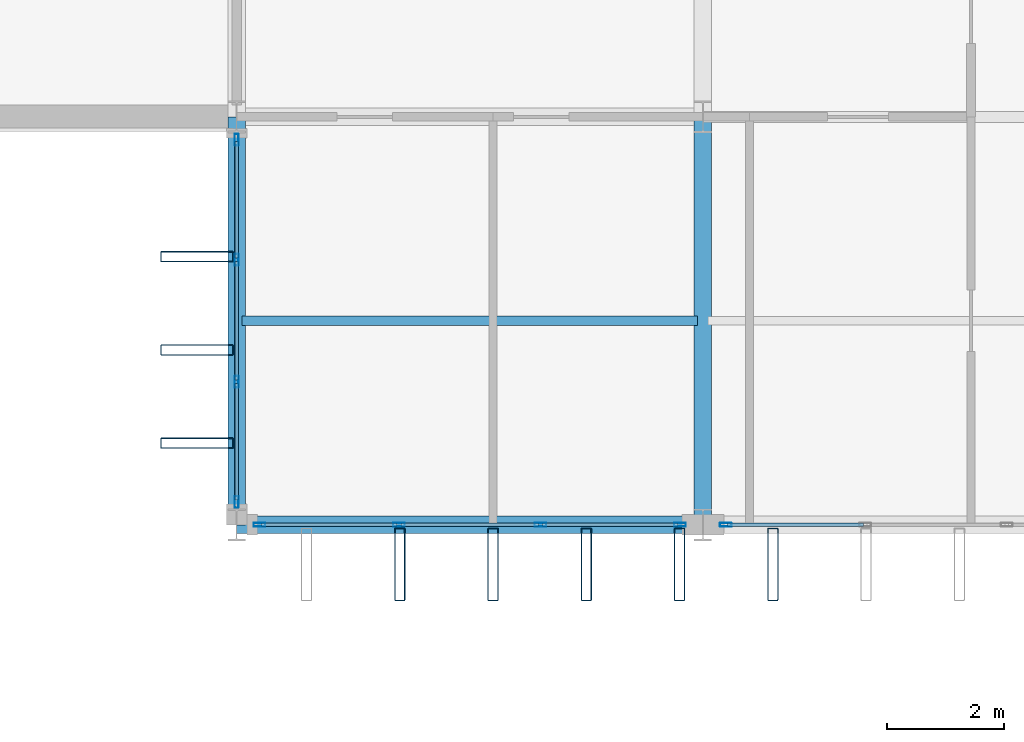
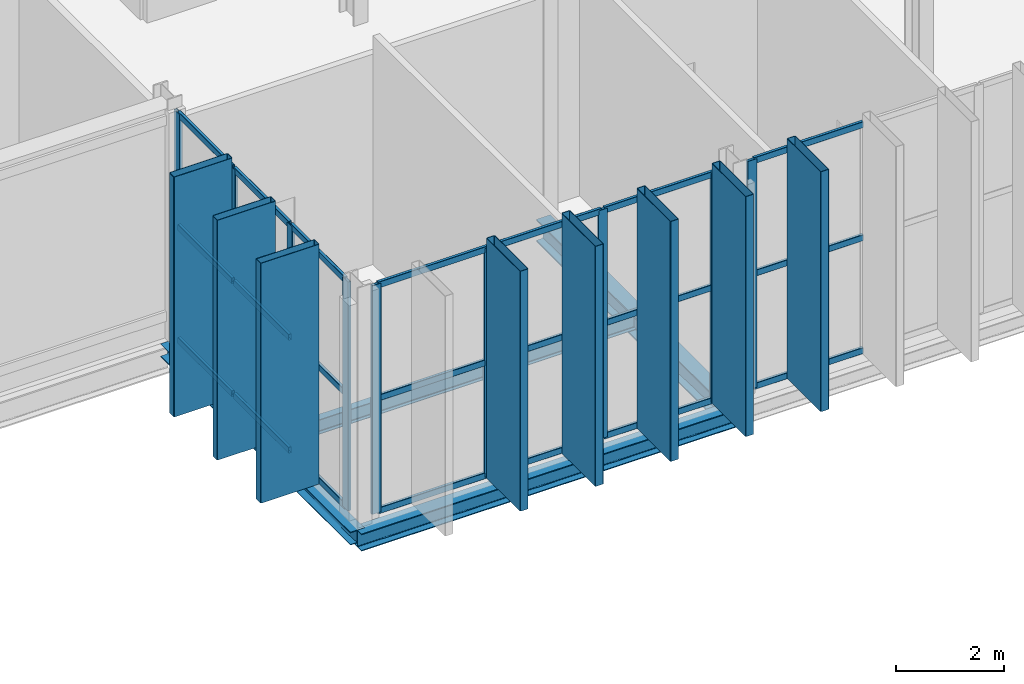
# One storey, part 35 of 147: 38 members, 4 beams, 3 elements without a shape of their own.
"""IFC4 building model written with IfcOpenShell, lengths in metres."""

from ifc_helpers import new_model, si_unit, direction, frame, origin, origin_2d, place, context, subcontext, project, spatial, hollow_rectangle, i_section, extrude, material, layer, layer_set, material_profile, profile_set, type_object, element, aggregate, save


model = new_model("IFC4")

# Units and contexts
model_context = context("Model", 3, precision=1e-05, world=origin(), true_north=direction((0.0, 1.0)))
body_context = subcontext(model_context, "Body", "Model", "MODEL_VIEW")
ifc_project = project(units=[si_unit("LENGTHUNIT", "METRE"), si_unit("AREAUNIT", "SQUARE_METRE"), si_unit("VOLUMEUNIT", "CUBIC_METRE"), si_unit("PLANEANGLEUNIT", "RADIAN"), si_unit("MASSUNIT", "GRAM", prefix="KILO")], contexts=[model_context])

# Site, building, storey
site_placement = place(None, origin())
site = spatial("IfcSite", under=ifc_project, at=site_placement, CompositionType="ELEMENT")
building_placement = place(site_placement, origin())
building = spatial("IfcBuilding", under=site, at=building_placement, Name="Vekula Escarpment Museum", CompositionType="ELEMENT")
storey_placement = place(building_placement, frame((0.0, 0.0, 7.800048828125)))
storey = spatial("IfcBuildingStorey", under=building, at=storey_placement, Name="L02", CompositionType="ELEMENT", Elevation=7.800048828125)

# Beams
ifc_material_1 = material(Name="Steel S355", Category="steel")
ifc_material_profile_1 = material_profile(ifc_material_1, i_section(OverallWidth=0.300048828125, OverallDepth=0.5, WebThickness=0.014404296875, FlangeThickness=0.028076171875, FilletRadius=0.027099609375, at=origin_2d()), Name="HEB 500")
ifc_profile_set_1 = profile_set([ifc_material_profile_1], Name="Steel S355")
beam_type_1 = type_object("IfcBeamType", Name="BM-GIRD-HEB500", PredefinedType="BEAM", material=ifc_profile_set_1)
beam_1_placement = place(storey_placement, frame((78.0, 45.60009765625, -0.510009765625), z_axis=(0.0, 1.0, 0.0), x_axis=(-1.0, 0.0, 0.0)))
element("IfcBeam", 1, at=beam_1_placement, inside=storey, type_object=beam_type_1, Name="Beam Y L02 1134", PredefinedType="BEAM", context=body_context, shape_type="SweptSolid", body=[
    extrude(i_section(OverallWidth=0.300048828125, OverallDepth=0.5, WebThickness=0.014404296875, FlangeThickness=0.028076171875, FilletRadius=0.027099609375, at=origin_2d()), origin(), (0.0, 0.0, 1.0), 7.0),
])
ifc_material_2 = material(Name="Steel S355", Category="steel")
ifc_material_profile_2 = material_profile(ifc_material_2, i_section(OverallWidth=0.159912109375, OverallDepth=0.330078125, WebThickness=0.007568359375, FlangeThickness=0.011474609375, FilletRadius=0.01806640625, at=origin_2d()), Name="IPE 330")
ifc_profile_set_2 = profile_set([ifc_material_profile_2], Name="Steel S355")
beam_type_2 = type_object("IfcBeamType", Name="BM-JST-IPE330", PredefinedType="JOIST", material=ifc_profile_set_2)
beam_2_placement = place(storey_placement, frame((70.090087890625, 49.10009765625, -0.425048828125), z_axis=(1.0, 0.0, 0.0), x_axis=(0.0, 1.0, 0.0)))
element("IfcBeam", 2, at=beam_2_placement, inside=storey, type_object=beam_type_2, Name="Secondary Joist L02 0732", PredefinedType="JOIST", context=body_context, shape_type="SweptSolid", body=[
    extrude(i_section(OverallWidth=0.159912109375, OverallDepth=0.330078125, WebThickness=0.007568359375, FlangeThickness=0.011474609375, FilletRadius=0.01806640625, at=origin_2d()), origin(), (0.0, 0.0, 1.0), 7.81982421875),
])
ifc_material_3 = material(Name="Steel S355", Category="steel")
ifc_material_profile_3 = material_profile(ifc_material_3, i_section(OverallWidth=0.300048828125, OverallDepth=0.2900390625, WebThickness=0.008544921875, FlangeThickness=0.013916015625, FilletRadius=0.027099609375, at=origin_2d()), Name="HEA 300")
ifc_profile_set_3 = profile_set([ifc_material_profile_3], Name="Steel S355")
beam_type_3 = type_object("IfcBeamType", Name="BM-SPAN-HEA300", PredefinedType="SPANDREL", material=ifc_profile_set_3)
beam_3_placement = place(storey_placement, frame((70.0, 45.60009765625, -0.405029296875), z_axis=(0.0, 1.0, 0.0), x_axis=(-1.0, 0.0, 0.0)))
element("IfcBeam", 3, at=beam_3_placement, inside=storey, type_object=beam_type_3, Name="Beam Y L02 1126", PredefinedType="SPANDREL", context=body_context, shape_type="SweptSolid", body=[
    extrude(i_section(OverallWidth=0.300048828125, OverallDepth=0.2900390625, WebThickness=0.008544921875, FlangeThickness=0.013916015625, FilletRadius=0.027099609375, at=origin_2d()), origin(), (0.0, 0.0, 1.0), 7.0),
])
ifc_material_4 = material(Name="Steel S355", Category="steel")
ifc_material_profile_4 = material_profile(ifc_material_4, i_section(OverallWidth=0.300048828125, OverallDepth=0.389892578125, WebThickness=0.010986328125, FlangeThickness=0.01904296875, FilletRadius=0.027099609375, at=origin_2d()), Name="HEA 400")
ifc_profile_set_4 = profile_set([ifc_material_profile_4], Name="Steel S355")
beam_type_4 = type_object("IfcBeamType", Name="BM-SPAN-HEA400", PredefinedType="SPANDREL", material=ifc_profile_set_4)
beam_4_placement = place(storey_placement, frame((70.0, 45.60009765625, -0.455078125), z_axis=(1.0, 0.0, 0.0), x_axis=(0.0, 1.0, 0.0)))
element("IfcBeam", 4, at=beam_4_placement, inside=storey, type_object=beam_type_4, Name="Beam X L02 0844", PredefinedType="SPANDREL", context=body_context, shape_type="SweptSolid", body=[
    extrude(i_section(OverallWidth=0.300048828125, OverallDepth=0.389892578125, WebThickness=0.010986328125, FlangeThickness=0.01904296875, FilletRadius=0.027099609375, at=origin_2d()), origin(), (0.0, 0.0, 1.0), 8.0),
])

# Curtain wall, members
ifc_material_5 = material(Name="Aluminium thermally broken framing", Category="aluminium")
ifc_layer_1 = layer(ifc_material_5, 0.159912109375)
ifc_layer_set_1 = layer_set([ifc_layer_1], Name="Aluminium thermally broken framing")
curtain_wall_type_1 = type_object("IfcCurtainWallType", Name="CW-SYS-02", PredefinedType="NOTDEFINED", material=ifc_layer_set_1)
curtain_wall_1_placement = place(storey_placement, origin())
curtain_wall_1 = element("IfcCurtainWall", 5, at=curtain_wall_1_placement, inside=storey, type_object=curtain_wall_type_1, Name="Curtain Wall CW-L02-052", PredefinedType="NOTDEFINED")
ifc_material_6 = material(Name="Aluminium anodized mullion", Category="aluminium")
ifc_material_profile_5 = material_profile(ifc_material_6, hollow_rectangle(XDim=0.06494140625, YDim=0.199951171875, WallThickness=0.00390625, InnerFilletRadius=0.00390625, OuterFilletRadius=0.008056640625, at=origin_2d()), Name="ALU 200x65x4")
ifc_profile_set_5 = profile_set([ifc_material_profile_5], Name="Aluminium anodized mullion")
member_type_1 = type_object("IfcMemberType", Name="CW-MUL-200", PredefinedType="MULLION", material=ifc_profile_set_5)
member_1_placement = place(storey_placement, frame((70.0, 52.20751953125, 0.0), z_axis=(0.0, 0.0, 1.0), x_axis=(1.0, 0.0, 0.0)))
member_1 = element("IfcMember", 6, at=member_1_placement, type_object=member_type_1, Name="CW-02 mullion 1", PredefinedType="MULLION", context=body_context, shape_type="SweptSolid", body=[
    extrude(hollow_rectangle(XDim=0.06494140625, YDim=0.199951171875, WallThickness=0.00390625, InnerFilletRadius=0.00390625, OuterFilletRadius=0.008056640625, at=origin_2d()), origin(), (0.0, 0.0, 1.0), 5.14990234375),
])
member_2_placement = place(storey_placement, frame((70.0, 50.146728515625, 0.0), z_axis=(0.0, 0.0, 1.0), x_axis=(1.0, 0.0, 0.0)))
member_2 = element("IfcMember", 7, at=member_2_placement, type_object=member_type_1, Name="CW-02 mullion 2", PredefinedType="MULLION", context=body_context, shape_type="SweptSolid", body=[
    extrude(hollow_rectangle(XDim=0.06494140625, YDim=0.199951171875, WallThickness=0.00390625, InnerFilletRadius=0.00390625, OuterFilletRadius=0.008056640625, at=origin_2d()), origin(), (0.0, 0.0, 1.0), 5.14990234375),
])
member_3_placement = place(storey_placement, frame((70.0, 48.05322265625, 0.0), z_axis=(0.0, 0.0, 1.0), x_axis=(1.0, 0.0, 0.0)))
member_3 = element("IfcMember", 8, at=member_3_placement, type_object=member_type_1, Name="CW-02 mullion 3", PredefinedType="MULLION", context=body_context, shape_type="SweptSolid", body=[
    extrude(hollow_rectangle(XDim=0.06494140625, YDim=0.199951171875, WallThickness=0.00390625, InnerFilletRadius=0.00390625, OuterFilletRadius=0.008056640625, at=origin_2d()), origin(), (0.0, 0.0, 1.0), 5.14990234375),
])
member_4_placement = place(storey_placement, frame((70.0, 45.992431640625, 0.0), z_axis=(0.0, 0.0, 1.0), x_axis=(1.0, 0.0, 0.0)))
member_4 = element("IfcMember", 9, at=member_4_placement, type_object=member_type_1, Name="CW-02 mullion 4", PredefinedType="MULLION", context=body_context, shape_type="SweptSolid", body=[
    extrude(hollow_rectangle(XDim=0.06494140625, YDim=0.199951171875, WallThickness=0.00390625, InnerFilletRadius=0.00390625, OuterFilletRadius=0.008056640625, at=origin_2d()), origin(), (0.0, 0.0, 1.0), 5.14990234375),
])

ifc_material_7 = material(Name="Aluminium thermally broken framing", Category="aluminium")
ifc_layer_2 = layer(ifc_material_7, 0.199951171875)
ifc_layer_set_2 = layer_set([ifc_layer_2], Name="Aluminium thermally broken framing")
curtain_wall_type_2 = type_object("IfcCurtainWallType", Name="CW-SYS-03", PredefinedType="NOTDEFINED", material=ifc_layer_set_2)
curtain_wall_2_placement = place(storey_placement, origin())
curtain_wall_2 = element("IfcCurtainWall", 10, at=curtain_wall_2_placement, inside=storey, type_object=curtain_wall_type_2, Name="Curtain Wall CW-L02-053", PredefinedType="NOTDEFINED")
member_5_placement = place(storey_placement, frame((70.392578125, 45.60009765625, 0.0), z_axis=(0.0, 0.0, 1.0), x_axis=(0.0, 1.0, 0.0)))
member_5 = element("IfcMember", 11, at=member_5_placement, type_object=member_type_1, Name="CW-03 mullion 1", PredefinedType="MULLION", context=body_context, shape_type="SweptSolid", body=[
    extrude(hollow_rectangle(XDim=0.06494140625, YDim=0.199951171875, WallThickness=0.00390625, InnerFilletRadius=0.00390625, OuterFilletRadius=0.008056640625, at=origin_2d()), origin(), (0.0, 0.0, 1.0), 5.14990234375),
])
member_6_placement = place(storey_placement, frame((72.78662109375, 45.60009765625, 0.0), z_axis=(0.0, 0.0, 1.0), x_axis=(0.0, 1.0, 0.0)))
member_6 = element("IfcMember", 12, at=member_6_placement, type_object=member_type_1, Name="CW-03 mullion 2", PredefinedType="MULLION", context=body_context, shape_type="SweptSolid", body=[
    extrude(hollow_rectangle(XDim=0.06494140625, YDim=0.199951171875, WallThickness=0.00390625, InnerFilletRadius=0.00390625, OuterFilletRadius=0.008056640625, at=origin_2d()), origin(), (0.0, 0.0, 1.0), 5.14990234375),
])
member_7_placement = place(storey_placement, frame((75.21337890625, 45.60009765625, 0.0), z_axis=(0.0, 0.0, 1.0), x_axis=(0.0, 1.0, 0.0)))
member_7 = element("IfcMember", 13, at=member_7_placement, type_object=member_type_1, Name="CW-03 mullion 3", PredefinedType="MULLION", context=body_context, shape_type="SweptSolid", body=[
    extrude(hollow_rectangle(XDim=0.06494140625, YDim=0.199951171875, WallThickness=0.00390625, InnerFilletRadius=0.00390625, OuterFilletRadius=0.008056640625, at=origin_2d()), origin(), (0.0, 0.0, 1.0), 5.14990234375),
])
member_8_placement = place(storey_placement, frame((77.607421875, 45.60009765625, 0.0), z_axis=(0.0, 0.0, 1.0), x_axis=(0.0, 1.0, 0.0)))
member_8 = element("IfcMember", 14, at=member_8_placement, type_object=member_type_1, Name="CW-03 mullion 4", PredefinedType="MULLION", context=body_context, shape_type="SweptSolid", body=[
    extrude(hollow_rectangle(XDim=0.06494140625, YDim=0.199951171875, WallThickness=0.00390625, InnerFilletRadius=0.00390625, OuterFilletRadius=0.008056640625, at=origin_2d()), origin(), (0.0, 0.0, 1.0), 5.14990234375),
])

# Curtain wall, member
ifc_material_8 = material(Name="Aluminium thermally broken framing", Category="aluminium")
ifc_layer_3 = layer(ifc_material_8, 0.199951171875)
ifc_layer_set_3 = layer_set([ifc_layer_3], Name="Aluminium thermally broken framing")
curtain_wall_type_3 = type_object("IfcCurtainWallType", Name="CW-SYS-04", PredefinedType="NOTDEFINED", material=ifc_layer_set_3)
curtain_wall_3_placement = place(storey_placement, origin())
curtain_wall_3 = element("IfcCurtainWall", 15, at=curtain_wall_3_placement, inside=storey, type_object=curtain_wall_type_3, Name="Curtain Wall CW-L02-054", PredefinedType="NOTDEFINED")
member_9_placement = place(storey_placement, frame((78.392578125, 45.60009765625, 0.0), z_axis=(0.0, 0.0, 1.0), x_axis=(0.0, 1.0, 0.0)))
member_9 = element("IfcMember", 16, at=member_9_placement, type_object=member_type_1, Name="CW-04 mullion 1", PredefinedType="MULLION", context=body_context, shape_type="SweptSolid", body=[
    extrude(hollow_rectangle(XDim=0.06494140625, YDim=0.199951171875, WallThickness=0.00390625, InnerFilletRadius=0.00390625, OuterFilletRadius=0.008056640625, at=origin_2d()), origin(), (0.0, 0.0, 1.0), 5.14990234375),
])

# Member
ifc_material_9 = material(Name="Aluminium anodized transom", Category="aluminium")
ifc_material_profile_6 = material_profile(ifc_material_9, hollow_rectangle(XDim=0.06494140625, YDim=0.139892578125, WallThickness=0.00390625, InnerFilletRadius=0.00390625, OuterFilletRadius=0.008056640625, at=origin_2d()), Name="ALU 140x65x4")
ifc_profile_set_6 = profile_set([ifc_material_profile_6], Name="Aluminium anodized transom")
member_type_2 = type_object("IfcMemberType", Name="CW-TRN-140", PredefinedType="USERDEFINED", material=ifc_profile_set_6)
member_10_placement = place(storey_placement, frame((70.0, 52.175048828125, 0.032470703125), z_axis=(0.0, -1.0, 0.0), x_axis=(1.0, 0.0, 0.0)))
member_10 = element("IfcMember", 17, at=member_10_placement, type_object=member_type_2, Name="CW-02 transom 1.1", ObjectType="TRANSOM", PredefinedType="USERDEFINED", context=body_context, shape_type="SweptSolid", body=[
    extrude(hollow_rectangle(XDim=0.06494140625, YDim=0.139892578125, WallThickness=0.00390625, InnerFilletRadius=0.00390625, OuterFilletRadius=0.008056640625, at=origin_2d()), origin(), (0.0, 0.0, 1.0), 1.995849609375),
])

member_11_placement = place(storey_placement, frame((70.0, 52.175048828125, 2.574951171875), z_axis=(0.0, -1.0, 0.0), x_axis=(1.0, 0.0, 0.0)))
member_11 = element("IfcMember", 18, at=member_11_placement, type_object=member_type_2, Name="CW-02 transom 1.2", ObjectType="TRANSOM", PredefinedType="USERDEFINED", context=body_context, shape_type="SweptSolid", body=[
    extrude(hollow_rectangle(XDim=0.06494140625, YDim=0.139892578125, WallThickness=0.00390625, InnerFilletRadius=0.00390625, OuterFilletRadius=0.008056640625, at=origin_2d()), origin(), (0.0, 0.0, 1.0), 1.995849609375),
])

member_12_placement = place(storey_placement, frame((70.0, 52.175048828125, 5.117431640625), z_axis=(0.0, -1.0, 0.0), x_axis=(1.0, 0.0, 0.0)))
member_12 = element("IfcMember", 19, at=member_12_placement, type_object=member_type_2, Name="CW-02 transom 1.3", ObjectType="TRANSOM", PredefinedType="USERDEFINED", context=body_context, shape_type="SweptSolid", body=[
    extrude(hollow_rectangle(XDim=0.06494140625, YDim=0.139892578125, WallThickness=0.00390625, InnerFilletRadius=0.00390625, OuterFilletRadius=0.008056640625, at=origin_2d()), origin(), (0.0, 0.0, 1.0), 1.995849609375),
])

member_13_placement = place(storey_placement, frame((70.0, 50.1142578125, 0.032470703125), z_axis=(0.0, -1.0, 0.0), x_axis=(1.0, 0.0, 0.0)))
member_13 = element("IfcMember", 20, at=member_13_placement, type_object=member_type_2, Name="CW-02 transom 2.1", ObjectType="TRANSOM", PredefinedType="USERDEFINED", context=body_context, shape_type="SweptSolid", body=[
    extrude(hollow_rectangle(XDim=0.06494140625, YDim=0.139892578125, WallThickness=0.00390625, InnerFilletRadius=0.00390625, OuterFilletRadius=0.008056640625, at=origin_2d()), origin(), (0.0, 0.0, 1.0), 2.0283203125),
])

member_14_placement = place(storey_placement, frame((70.0, 50.1142578125, 2.574951171875), z_axis=(0.0, -1.0, 0.0), x_axis=(1.0, 0.0, 0.0)))
member_14 = element("IfcMember", 21, at=member_14_placement, type_object=member_type_2, Name="CW-02 transom 2.2", ObjectType="TRANSOM", PredefinedType="USERDEFINED", context=body_context, shape_type="SweptSolid", body=[
    extrude(hollow_rectangle(XDim=0.06494140625, YDim=0.139892578125, WallThickness=0.00390625, InnerFilletRadius=0.00390625, OuterFilletRadius=0.008056640625, at=origin_2d()), origin(), (0.0, 0.0, 1.0), 2.0283203125),
])

member_15_placement = place(storey_placement, frame((70.0, 50.1142578125, 5.117431640625), z_axis=(0.0, -1.0, 0.0), x_axis=(1.0, 0.0, 0.0)))
member_15 = element("IfcMember", 22, at=member_15_placement, type_object=member_type_2, Name="CW-02 transom 2.3", ObjectType="TRANSOM", PredefinedType="USERDEFINED", context=body_context, shape_type="SweptSolid", body=[
    extrude(hollow_rectangle(XDim=0.06494140625, YDim=0.139892578125, WallThickness=0.00390625, InnerFilletRadius=0.00390625, OuterFilletRadius=0.008056640625, at=origin_2d()), origin(), (0.0, 0.0, 1.0), 2.0283203125),
])

member_16_placement = place(storey_placement, frame((70.0, 48.020751953125, 0.032470703125), z_axis=(0.0, -1.0, 0.0), x_axis=(1.0, 0.0, 0.0)))
member_16 = element("IfcMember", 23, at=member_16_placement, type_object=member_type_2, Name="CW-02 transom 3.1", ObjectType="TRANSOM", PredefinedType="USERDEFINED", context=body_context, shape_type="SweptSolid", body=[
    extrude(hollow_rectangle(XDim=0.06494140625, YDim=0.139892578125, WallThickness=0.00390625, InnerFilletRadius=0.00390625, OuterFilletRadius=0.008056640625, at=origin_2d()), origin(), (0.0, 0.0, 1.0), 1.995849609375),
])

member_17_placement = place(storey_placement, frame((70.0, 48.020751953125, 2.574951171875), z_axis=(0.0, -1.0, 0.0), x_axis=(1.0, 0.0, 0.0)))
member_17 = element("IfcMember", 24, at=member_17_placement, type_object=member_type_2, Name="CW-02 transom 3.2", ObjectType="TRANSOM", PredefinedType="USERDEFINED", context=body_context, shape_type="SweptSolid", body=[
    extrude(hollow_rectangle(XDim=0.06494140625, YDim=0.139892578125, WallThickness=0.00390625, InnerFilletRadius=0.00390625, OuterFilletRadius=0.008056640625, at=origin_2d()), origin(), (0.0, 0.0, 1.0), 1.995849609375),
])

member_18_placement = place(storey_placement, frame((70.0, 48.020751953125, 5.117431640625), z_axis=(0.0, -1.0, 0.0), x_axis=(1.0, 0.0, 0.0)))
member_18 = element("IfcMember", 25, at=member_18_placement, type_object=member_type_2, Name="CW-02 transom 3.3", ObjectType="TRANSOM", PredefinedType="USERDEFINED", context=body_context, shape_type="SweptSolid", body=[
    extrude(hollow_rectangle(XDim=0.06494140625, YDim=0.139892578125, WallThickness=0.00390625, InnerFilletRadius=0.00390625, OuterFilletRadius=0.008056640625, at=origin_2d()), origin(), (0.0, 0.0, 1.0), 1.995849609375),
])

aggregate(curtain_wall_1, [member_1, member_2, member_3, member_4, member_10, member_11, member_12, member_13, member_14, member_15, member_16, member_17, member_18])

member_19_placement = place(storey_placement, frame((70.425048828125, 45.60009765625, 0.032470703125), z_axis=(1.0, 0.0, 0.0), x_axis=(0.0, 1.0, 0.0)))
member_19 = element("IfcMember", 26, at=member_19_placement, type_object=member_type_2, Name="CW-03 transom 1.1", ObjectType="TRANSOM", PredefinedType="USERDEFINED", context=body_context, shape_type="SweptSolid", body=[
    extrude(hollow_rectangle(XDim=0.06494140625, YDim=0.139892578125, WallThickness=0.00390625, InnerFilletRadius=0.00390625, OuterFilletRadius=0.008056640625, at=origin_2d()), origin(), (0.0, 0.0, 1.0), 2.3291015625),
])

member_20_placement = place(storey_placement, frame((70.425048828125, 45.60009765625, 2.574951171875), z_axis=(1.0, 0.0, 0.0), x_axis=(0.0, 1.0, 0.0)))
member_20 = element("IfcMember", 27, at=member_20_placement, type_object=member_type_2, Name="CW-03 transom 1.2", ObjectType="TRANSOM", PredefinedType="USERDEFINED", context=body_context, shape_type="SweptSolid", body=[
    extrude(hollow_rectangle(XDim=0.06494140625, YDim=0.139892578125, WallThickness=0.00390625, InnerFilletRadius=0.00390625, OuterFilletRadius=0.008056640625, at=origin_2d()), origin(), (0.0, 0.0, 1.0), 2.3291015625),
])

member_21_placement = place(storey_placement, frame((70.425048828125, 45.60009765625, 5.117431640625), z_axis=(1.0, 0.0, 0.0), x_axis=(0.0, 1.0, 0.0)))
member_21 = element("IfcMember", 28, at=member_21_placement, type_object=member_type_2, Name="CW-03 transom 1.3", ObjectType="TRANSOM", PredefinedType="USERDEFINED", context=body_context, shape_type="SweptSolid", body=[
    extrude(hollow_rectangle(XDim=0.06494140625, YDim=0.139892578125, WallThickness=0.00390625, InnerFilletRadius=0.00390625, OuterFilletRadius=0.008056640625, at=origin_2d()), origin(), (0.0, 0.0, 1.0), 2.3291015625),
])

member_22_placement = place(storey_placement, frame((72.819091796875, 45.60009765625, 0.032470703125), z_axis=(1.0, 0.0, 0.0), x_axis=(0.0, 1.0, 0.0)))
member_22 = element("IfcMember", 29, at=member_22_placement, type_object=member_type_2, Name="CW-03 transom 2.1", ObjectType="TRANSOM", PredefinedType="USERDEFINED", context=body_context, shape_type="SweptSolid", body=[
    extrude(hollow_rectangle(XDim=0.06494140625, YDim=0.139892578125, WallThickness=0.00390625, InnerFilletRadius=0.00390625, OuterFilletRadius=0.008056640625, at=origin_2d()), origin(), (0.0, 0.0, 1.0), 2.36181640625),
])

member_23_placement = place(storey_placement, frame((72.819091796875, 45.60009765625, 2.574951171875), z_axis=(1.0, 0.0, 0.0), x_axis=(0.0, 1.0, 0.0)))
member_23 = element("IfcMember", 30, at=member_23_placement, type_object=member_type_2, Name="CW-03 transom 2.2", ObjectType="TRANSOM", PredefinedType="USERDEFINED", context=body_context, shape_type="SweptSolid", body=[
    extrude(hollow_rectangle(XDim=0.06494140625, YDim=0.139892578125, WallThickness=0.00390625, InnerFilletRadius=0.00390625, OuterFilletRadius=0.008056640625, at=origin_2d()), origin(), (0.0, 0.0, 1.0), 2.36181640625),
])

member_24_placement = place(storey_placement, frame((72.819091796875, 45.60009765625, 5.117431640625), z_axis=(1.0, 0.0, 0.0), x_axis=(0.0, 1.0, 0.0)))
member_24 = element("IfcMember", 31, at=member_24_placement, type_object=member_type_2, Name="CW-03 transom 2.3", ObjectType="TRANSOM", PredefinedType="USERDEFINED", context=body_context, shape_type="SweptSolid", body=[
    extrude(hollow_rectangle(XDim=0.06494140625, YDim=0.139892578125, WallThickness=0.00390625, InnerFilletRadius=0.00390625, OuterFilletRadius=0.008056640625, at=origin_2d()), origin(), (0.0, 0.0, 1.0), 2.36181640625),
])

member_25_placement = place(storey_placement, frame((75.245849609375, 45.60009765625, 0.032470703125), z_axis=(1.0, 0.0, 0.0), x_axis=(0.0, 1.0, 0.0)))
member_25 = element("IfcMember", 32, at=member_25_placement, type_object=member_type_2, Name="CW-03 transom 3.1", ObjectType="TRANSOM", PredefinedType="USERDEFINED", context=body_context, shape_type="SweptSolid", body=[
    extrude(hollow_rectangle(XDim=0.06494140625, YDim=0.139892578125, WallThickness=0.00390625, InnerFilletRadius=0.00390625, OuterFilletRadius=0.008056640625, at=origin_2d()), origin(), (0.0, 0.0, 1.0), 2.3291015625),
])

member_26_placement = place(storey_placement, frame((75.245849609375, 45.60009765625, 2.574951171875), z_axis=(1.0, 0.0, 0.0), x_axis=(0.0, 1.0, 0.0)))
member_26 = element("IfcMember", 33, at=member_26_placement, type_object=member_type_2, Name="CW-03 transom 3.2", ObjectType="TRANSOM", PredefinedType="USERDEFINED", context=body_context, shape_type="SweptSolid", body=[
    extrude(hollow_rectangle(XDim=0.06494140625, YDim=0.139892578125, WallThickness=0.00390625, InnerFilletRadius=0.00390625, OuterFilletRadius=0.008056640625, at=origin_2d()), origin(), (0.0, 0.0, 1.0), 2.3291015625),
])

member_27_placement = place(storey_placement, frame((75.245849609375, 45.60009765625, 5.117431640625), z_axis=(1.0, 0.0, 0.0), x_axis=(0.0, 1.0, 0.0)))
member_27 = element("IfcMember", 34, at=member_27_placement, type_object=member_type_2, Name="CW-03 transom 3.3", ObjectType="TRANSOM", PredefinedType="USERDEFINED", context=body_context, shape_type="SweptSolid", body=[
    extrude(hollow_rectangle(XDim=0.06494140625, YDim=0.139892578125, WallThickness=0.00390625, InnerFilletRadius=0.00390625, OuterFilletRadius=0.008056640625, at=origin_2d()), origin(), (0.0, 0.0, 1.0), 2.3291015625),
])

aggregate(curtain_wall_2, [member_5, member_6, member_7, member_8, member_19, member_20, member_21, member_22, member_23, member_24, member_25, member_26, member_27])

member_28_placement = place(storey_placement, frame((78.425048828125, 45.60009765625, 0.032470703125), z_axis=(1.0, 0.0, 0.0), x_axis=(0.0, 1.0, 0.0)))
member_28 = element("IfcMember", 35, at=member_28_placement, type_object=member_type_2, Name="CW-04 transom 1.1", ObjectType="TRANSOM", PredefinedType="USERDEFINED", context=body_context, shape_type="SweptSolid", body=[
    extrude(hollow_rectangle(XDim=0.06494140625, YDim=0.139892578125, WallThickness=0.00390625, InnerFilletRadius=0.00390625, OuterFilletRadius=0.008056640625, at=origin_2d()), origin(), (0.0, 0.0, 1.0), 2.3291015625),
])

member_29_placement = place(storey_placement, frame((78.425048828125, 45.60009765625, 2.574951171875), z_axis=(1.0, 0.0, 0.0), x_axis=(0.0, 1.0, 0.0)))
member_29 = element("IfcMember", 36, at=member_29_placement, type_object=member_type_2, Name="CW-04 transom 1.2", ObjectType="TRANSOM", PredefinedType="USERDEFINED", context=body_context, shape_type="SweptSolid", body=[
    extrude(hollow_rectangle(XDim=0.06494140625, YDim=0.139892578125, WallThickness=0.00390625, InnerFilletRadius=0.00390625, OuterFilletRadius=0.008056640625, at=origin_2d()), origin(), (0.0, 0.0, 1.0), 2.3291015625),
])

member_30_placement = place(storey_placement, frame((78.425048828125, 45.60009765625, 5.117431640625), z_axis=(1.0, 0.0, 0.0), x_axis=(0.0, 1.0, 0.0)))
member_30 = element("IfcMember", 37, at=member_30_placement, type_object=member_type_2, Name="CW-04 transom 1.3", ObjectType="TRANSOM", PredefinedType="USERDEFINED", context=body_context, shape_type="SweptSolid", body=[
    extrude(hollow_rectangle(XDim=0.06494140625, YDim=0.139892578125, WallThickness=0.00390625, InnerFilletRadius=0.00390625, OuterFilletRadius=0.008056640625, at=origin_2d()), origin(), (0.0, 0.0, 1.0), 2.3291015625),
])

aggregate(curtain_wall_3, [member_9, member_28, member_29, member_30])

# Members
ifc_material_10 = material(Name="Steel S355 weathered bronze solar fin", Category="steel")
ifc_material_profile_7 = material_profile(ifc_material_10, hollow_rectangle(XDim=0.179931640625, YDim=1.25, WallThickness=0.010009765625, InnerFilletRadius=0.010009765625, OuterFilletRadius=0.02001953125, at=origin_2d()), Name="RHS 1250x180x10")
ifc_profile_set_7 = profile_set([ifc_material_profile_7], Name="Steel S355 weathered bronze solar fin")
member_type_3 = type_object("IfcMemberType", Name="MB-SOLAR-FIN", PredefinedType="USERDEFINED", material=ifc_profile_set_7)
for number, where, z_axis, x_axis, name in (
    (38, (72.800048828125, 44.919921875, 0.0), (0.0, 0.0, 1.0), (1.0, 0.0, 0.0), "Great Hall Vertical Solar Fin 0007"),
    (39, (74.39990234375, 44.919921875, 0.0), (0.0, 0.0, 1.0), (1.0, 0.0, 0.0), "Great Hall Vertical Solar Fin 0012"),
    (40, (76.0, 44.919921875, 0.0), (0.0, 0.0, 1.0), (1.0, 0.0, 0.0), "Great Hall Vertical Solar Fin 0017"),
    (41, (77.60009765625, 44.919921875, 0.0), (0.0, 0.0, 1.0), (1.0, 0.0, 0.0), "Great Hall Vertical Solar Fin 0022"),
    (42, (79.199951171875, 44.919921875, 0.0), (0.0, 0.0, 1.0), (1.0, 0.0, 0.0), "Great Hall Vertical Solar Fin 0027"),
    (43, (69.320068359375, 47.0, 0.0), (0.0, 0.0, 1.0), (0.0, 1.0, 0.0), "Great Hall Vertical Solar Fin 0282"),
    (44, (69.320068359375, 48.60009765625, 0.0), (0.0, 0.0, 1.0), (0.0, 1.0, 0.0), "Great Hall Vertical Solar Fin 0287"),
    (45, (69.320068359375, 50.199951171875, 0.0), (0.0, 0.0, 1.0), (0.0, 1.0, 0.0), "Great Hall Vertical Solar Fin 0292"),
):
    element("IfcMember", number, at=place(storey_placement, frame(where, z_axis=z_axis, x_axis=x_axis)), inside=storey, type_object=member_type_3, Name=name, ObjectType="SOLAR FIN", PredefinedType="USERDEFINED", context=body_context, shape_type="SweptSolid", body=[
        extrude(hollow_rectangle(XDim=0.179931640625, YDim=1.25, WallThickness=0.010009765625, InnerFilletRadius=0.010009765625, OuterFilletRadius=0.02001953125, at=origin_2d()), origin(), (0.0, 0.0, 1.0), 5.39990234375),
    ])

save(model, "model.ifc")
